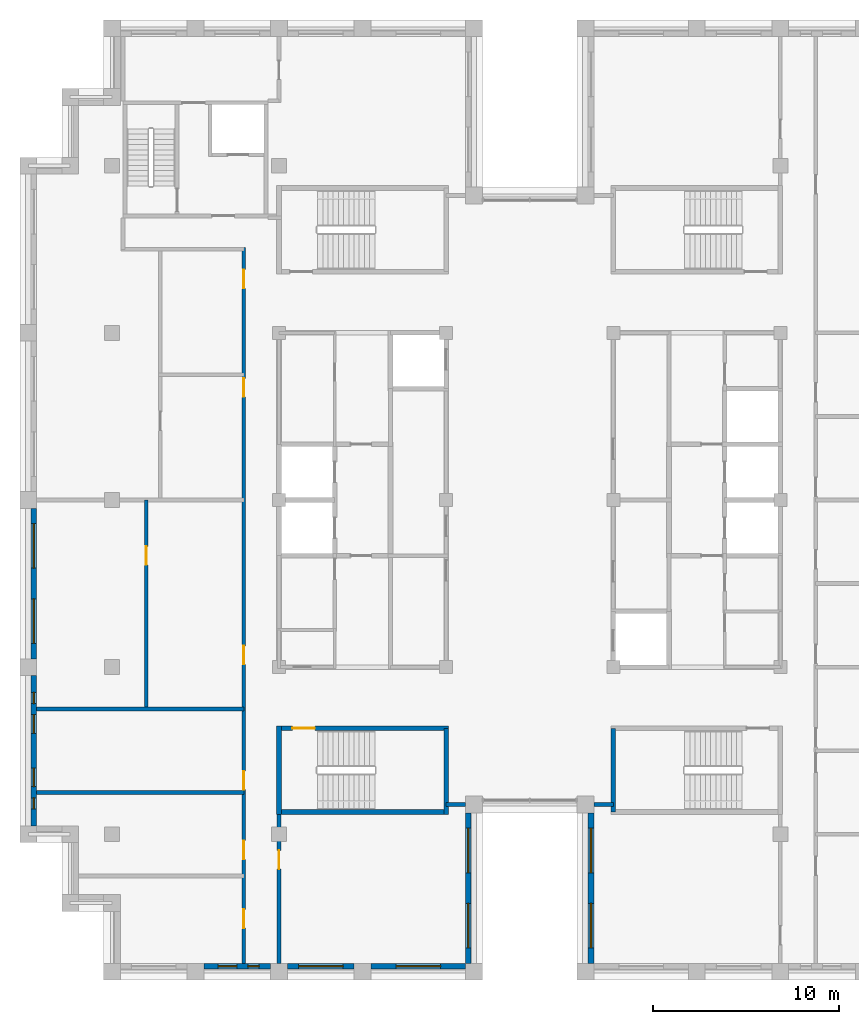
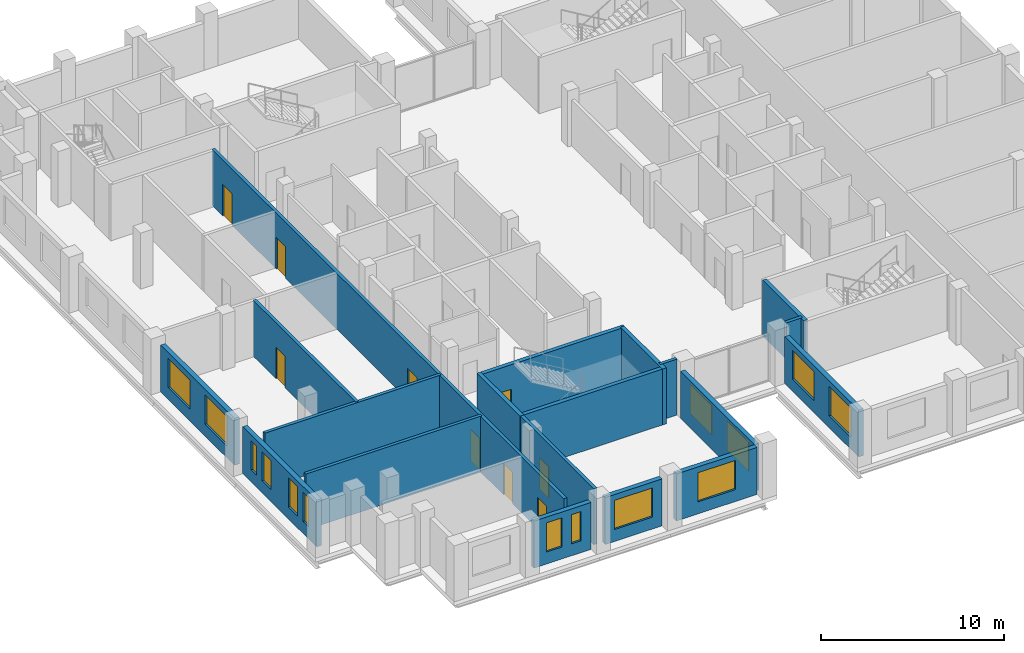
# One storey, part 6 of 13: 19 walls, 14 windows, 9 doors, 23 openings.
"""IFC4 building model written with IfcOpenShell, lengths in metres."""

from ifc_helpers import new_model, si_unit, direction, frame, frame_2d, origin, place, context, subcontext, project, spatial, rectangle, extrude, material, layer, layer_set, type_object, element, fill, save


model = new_model("IFC4")

# Units and contexts
model_context = context("Model", 3, precision=1e-05, world=origin(), true_north=direction((0.0, 1.0)))
body_context = subcontext(model_context, "Body", "Model", "MODEL_VIEW")
ifc_project = project(units=[si_unit("LENGTHUNIT", "METRE"), si_unit("AREAUNIT", "SQUARE_METRE"), si_unit("VOLUMEUNIT", "CUBIC_METRE"), si_unit("PLANEANGLEUNIT", "RADIAN"), si_unit("MASSUNIT", "GRAM", prefix="KILO")], contexts=[model_context])

# Site, building, storey
site_placement = place(None, origin())
site = spatial("IfcSite", under=ifc_project, at=site_placement, CompositionType="ELEMENT")
building_placement = place(site_placement, origin())
building = spatial("IfcBuilding", under=site, at=building_placement, Name="Corbelhall Arena Tower", CompositionType="ELEMENT")
storey_placement = place(building_placement, frame((0.0, 0.0, 338.0)))
storey = spatial("IfcBuildingStorey", under=building, at=storey_placement, Name="L74", CompositionType="ELEMENT", Elevation=338.0)

# Wall, openings, windows
ifc_material_1 = material(Name="Precast concrete C40/50 with granite facing", Category="masonry")
ifc_layer_1 = layer(ifc_material_1, 0.300048828125)
ifc_layer_set_1 = layer_set([ifc_layer_1], Name="EV-IW1 Infill panel 300")
wall_type_1 = type_object("IfcWallType", Name="EV-IW1 Infill panel 300", PredefinedType="SOLIDWALL", material=ifc_layer_set_1)
wall_1_placement = place(storey_placement, frame((-26.699951171875, -0.449951171875, 0.0), z_axis=(0.0, 0.0, 1.0), x_axis=(0.0, -1.0, 0.0)))
wall_1 = element("IfcWall", 1, at=wall_1_placement, inside=storey, type_object=wall_type_1, Name="Infill panel IW1", PredefinedType="SOLIDWALL", context=body_context, shape_type="SweptSolid", body=[
    extrude(rectangle(XDim=8.10009765625, YDim=0.300048828125, at=frame_2d((4.050048828125, 0.0))), origin(), (0.0, 0.0, 1.0), 3.139892578125),
])
opening_1_placement = place(wall_1_placement, frame((0.824951171875, 0.0, 0.800048828125)))
opening_1 = element("IfcOpeningElement", 2, at=opening_1_placement, cuts=wall_1, Name="Opening WN1", PredefinedType="OPENING", context=body_context, shape_type="SweptSolid", body=[
    extrude(rectangle(XDim=2.39990234375, YDim=1.949951171875, at=frame_2d((1.199951171875, 0.97509765625))), frame((0.0, 0.14990234375, 0.0), z_axis=(0.0, -1.0, 0.0), x_axis=(1.0, 0.0, 0.0)), (0.0, 0.0, 1.0), 0.300048828125),
])
opening_2_placement = place(wall_1_placement, frame((4.875, 0.0, 0.800048828125)))
opening_2 = element("IfcOpeningElement", 3, at=opening_2_placement, cuts=wall_1, Name="Opening WN1", PredefinedType="OPENING", context=body_context, shape_type="SweptSolid", body=[
    extrude(rectangle(XDim=2.39990234375, YDim=1.949951171875, at=frame_2d((1.199951171875, 0.97509765625))), frame((0.0, 0.14990234375, 0.0), z_axis=(0.0, -1.0, 0.0), x_axis=(1.0, 0.0, 0.0)), (0.0, 0.0, 1.0), 0.300048828125),
])
ifc_material_2 = material(Name="Aluminium black anodised", Category="aluminium")
window_type_1 = type_object("IfcWindowType", Name="EV-WN1 Office window", PartitioningType="SINGLE_PANEL", PredefinedType="WINDOW", material=ifc_material_2)
window_1_placement = place(opening_1_placement, origin())
window_1 = element("IfcWindow", 4, at=window_1_placement, inside=storey, type_object=window_type_1, Name="Window WN1", OverallHeight=1.949951171875, OverallWidth=2.39990234375, PartitioningType="SINGLE_PANEL", PredefinedType="WINDOW", context=body_context, shape_type="SweptSolid", body=[
    extrude(rectangle(XDim=2.39990234375, YDim=1.949951171875, at=frame_2d((1.199951171875, 0.97509765625))), frame((0.0, 0.030029296875, 0.0), z_axis=(0.0, -1.0, 0.0), x_axis=(1.0, 0.0, 0.0)), (0.0, 0.0, 1.0), 0.06005859375),
])
fill(opening_1, window_1)
window_2_placement = place(opening_2_placement, origin())
window_2 = element("IfcWindow", 5, at=window_2_placement, inside=storey, type_object=window_type_1, Name="Window WN1", OverallHeight=1.949951171875, OverallWidth=2.39990234375, PartitioningType="SINGLE_PANEL", PredefinedType="WINDOW", context=body_context, shape_type="SweptSolid", body=[
    extrude(rectangle(XDim=2.39990234375, YDim=1.949951171875, at=frame_2d((1.199951171875, 0.97509765625))), frame((0.0, 0.030029296875, 0.0), z_axis=(0.0, -1.0, 0.0), x_axis=(1.0, 0.0, 0.0)), (0.0, 0.0, 1.0), 0.06005859375),
])
fill(opening_2, window_2)

wall_2_placement = place(storey_placement, frame((-26.699951171875, -9.449951171875, 0.0), z_axis=(0.0, 0.0, 1.0), x_axis=(0.0, -1.0, 0.0)))
wall_2 = element("IfcWall", 6, at=wall_2_placement, inside=storey, type_object=wall_type_1, Name="Infill panel IW1", PredefinedType="SOLIDWALL", context=body_context, shape_type="SweptSolid", body=[
    extrude(rectangle(XDim=8.10009765625, YDim=0.300048828125, at=frame_2d((4.050048828125, 0.0))), origin(), (0.0, 0.0, 1.0), 3.139892578125),
])
opening_3_placement = place(wall_2_placement, frame((0.91259765625, 0.0, 0.800048828125)))
opening_3 = element("IfcOpeningElement", 7, at=opening_3_placement, cuts=wall_2, Name="Opening WN5", PredefinedType="OPENING", context=body_context, shape_type="SweptSolid", body=[
    extrude(rectangle(XDim=0.60009765625, YDim=1.949951171875, at=frame_2d((0.300048828125, 0.97509765625))), frame((0.0, 0.14990234375, 0.0), z_axis=(0.0, -1.0, 0.0), x_axis=(1.0, 0.0, 0.0)), (0.0, 0.0, 1.0), 0.300048828125),
])
opening_4_placement = place(wall_2_placement, frame((2.112548828125, 0.0, 0.800048828125)))
opening_4 = element("IfcOpeningElement", 8, at=opening_4_placement, cuts=wall_2, Name="Opening WN6", PredefinedType="OPENING", context=body_context, shape_type="SweptSolid", body=[
    extrude(rectangle(XDim=1.0, YDim=1.949951171875, at=frame_2d((0.5, 0.97509765625))), frame((0.0, 0.14990234375, 0.0), z_axis=(0.0, -1.0, 0.0), x_axis=(1.0, 0.0, 0.0)), (0.0, 0.0, 1.0), 0.300048828125),
])
opening_5_placement = place(wall_2_placement, frame((4.987548828125, 0.0, 0.800048828125)))
opening_5 = element("IfcOpeningElement", 9, at=opening_5_placement, cuts=wall_2, Name="Opening WN6", PredefinedType="OPENING", context=body_context, shape_type="SweptSolid", body=[
    extrude(rectangle(XDim=1.0, YDim=1.949951171875, at=frame_2d((0.5, 0.97509765625))), frame((0.0, 0.14990234375, 0.0), z_axis=(0.0, -1.0, 0.0), x_axis=(1.0, 0.0, 0.0)), (0.0, 0.0, 1.0), 0.300048828125),
])
opening_6_placement = place(wall_2_placement, frame((6.58740234375, 0.0, 0.800048828125)))
opening_6 = element("IfcOpeningElement", 10, at=opening_6_placement, cuts=wall_2, Name="Opening WN5", PredefinedType="OPENING", context=body_context, shape_type="SweptSolid", body=[
    extrude(rectangle(XDim=0.60009765625, YDim=1.949951171875, at=frame_2d((0.300048828125, 0.97509765625))), frame((0.0, 0.14990234375, 0.0), z_axis=(0.0, -1.0, 0.0), x_axis=(1.0, 0.0, 0.0)), (0.0, 0.0, 1.0), 0.300048828125),
])
window_type_2 = type_object("IfcWindowType", Name="EV-WN5 Office window 600", PartitioningType="SINGLE_PANEL", PredefinedType="WINDOW", material=ifc_material_2)
window_3_placement = place(opening_3_placement, origin())
window_3 = element("IfcWindow", 11, at=window_3_placement, inside=storey, type_object=window_type_2, Name="Window WN5", OverallHeight=1.949951171875, OverallWidth=0.60009765625, PartitioningType="SINGLE_PANEL", PredefinedType="WINDOW", context=body_context, shape_type="SweptSolid", body=[
    extrude(rectangle(XDim=0.60009765625, YDim=1.949951171875, at=frame_2d((0.300048828125, 0.97509765625))), frame((0.0, 0.030029296875, 0.0), z_axis=(0.0, -1.0, 0.0), x_axis=(1.0, 0.0, 0.0)), (0.0, 0.0, 1.0), 0.06005859375),
])
fill(opening_3, window_3)
window_4_placement = place(opening_6_placement, origin())
window_4 = element("IfcWindow", 12, at=window_4_placement, inside=storey, type_object=window_type_2, Name="Window WN5", OverallHeight=1.949951171875, OverallWidth=0.60009765625, PartitioningType="SINGLE_PANEL", PredefinedType="WINDOW", context=body_context, shape_type="SweptSolid", body=[
    extrude(rectangle(XDim=0.60009765625, YDim=1.949951171875, at=frame_2d((0.300048828125, 0.97509765625))), frame((0.0, 0.030029296875, 0.0), z_axis=(0.0, -1.0, 0.0), x_axis=(1.0, 0.0, 0.0)), (0.0, 0.0, 1.0), 0.06005859375),
])
fill(opening_6, window_4)
window_type_3 = type_object("IfcWindowType", Name="EV-WN6 Office window 1000", PartitioningType="SINGLE_PANEL", PredefinedType="WINDOW", material=ifc_material_2)
window_5_placement = place(opening_4_placement, origin())
window_5 = element("IfcWindow", 13, at=window_5_placement, inside=storey, type_object=window_type_3, Name="Window WN6", OverallHeight=1.949951171875, OverallWidth=1.0, PartitioningType="SINGLE_PANEL", PredefinedType="WINDOW", context=body_context, shape_type="SweptSolid", body=[
    extrude(rectangle(XDim=1.0, YDim=1.949951171875, at=frame_2d((0.5, 0.97509765625))), frame((0.0, 0.030029296875, 0.0), z_axis=(0.0, -1.0, 0.0), x_axis=(1.0, 0.0, 0.0)), (0.0, 0.0, 1.0), 0.06005859375),
])
fill(opening_4, window_5)
window_6_placement = place(opening_5_placement, origin())
window_6 = element("IfcWindow", 14, at=window_6_placement, inside=storey, type_object=window_type_3, Name="Window WN6", OverallHeight=1.949951171875, OverallWidth=1.0, PartitioningType="SINGLE_PANEL", PredefinedType="WINDOW", context=body_context, shape_type="SweptSolid", body=[
    extrude(rectangle(XDim=1.0, YDim=1.949951171875, at=frame_2d((0.5, 0.97509765625))), frame((0.0, 0.030029296875, 0.0), z_axis=(0.0, -1.0, 0.0), x_axis=(1.0, 0.0, 0.0)), (0.0, 0.0, 1.0), 0.06005859375),
])
fill(opening_5, window_6)

wall_3_placement = place(storey_placement, frame((-17.550048828125, -25.10009765625, 0.0), z_axis=(0.0, 0.0, 1.0), x_axis=(1.0, 0.0, 0.0)))
wall_3 = element("IfcWall", 15, at=wall_3_placement, inside=storey, type_object=wall_type_1, Name="Infill panel IW1", PredefinedType="SOLIDWALL", context=body_context, shape_type="SweptSolid", body=[
    extrude(rectangle(XDim=3.60009765625, YDim=0.300048828125, at=frame_2d((1.800048828125, 0.0))), origin(), (0.0, 0.0, 1.0), 3.139892578125),
])
opening_7_placement = place(wall_3_placement, frame((0.77490234375, 0.0, 0.800048828125)))
opening_7 = element("IfcOpeningElement", 16, at=opening_7_placement, cuts=wall_3, Name="Opening WN6", PredefinedType="OPENING", context=body_context, shape_type="SweptSolid", body=[
    extrude(rectangle(XDim=1.0, YDim=1.949951171875, at=frame_2d((0.5, 0.97509765625))), frame((0.0, 0.14990234375, 0.0), z_axis=(0.0, -1.0, 0.0), x_axis=(1.0, 0.0, 0.0)), (0.0, 0.0, 1.0), 0.300048828125),
])
opening_8_placement = place(wall_3_placement, frame((2.375, 0.0, 0.800048828125)))
opening_8 = element("IfcOpeningElement", 17, at=opening_8_placement, cuts=wall_3, Name="Opening WN5", PredefinedType="OPENING", context=body_context, shape_type="SweptSolid", body=[
    extrude(rectangle(XDim=0.60009765625, YDim=1.949951171875, at=frame_2d((0.300048828125, 0.97509765625))), frame((0.0, 0.14990234375, 0.0), z_axis=(0.0, -1.0, 0.0), x_axis=(1.0, 0.0, 0.0)), (0.0, 0.0, 1.0), 0.300048828125),
])
window_7_placement = place(opening_8_placement, origin())
window_7 = element("IfcWindow", 18, at=window_7_placement, inside=storey, type_object=window_type_2, Name="Window WN5", OverallHeight=1.949951171875, OverallWidth=0.60009765625, PartitioningType="SINGLE_PANEL", PredefinedType="WINDOW", context=body_context, shape_type="SweptSolid", body=[
    extrude(rectangle(XDim=0.60009765625, YDim=1.949951171875, at=frame_2d((0.300048828125, 0.97509765625))), frame((0.0, 0.030029296875, 0.0), z_axis=(0.0, -1.0, 0.0), x_axis=(1.0, 0.0, 0.0)), (0.0, 0.0, 1.0), 0.06005859375),
])
fill(opening_8, window_7)
window_8_placement = place(opening_7_placement, origin())
window_8 = element("IfcWindow", 19, at=window_8_placement, inside=storey, type_object=window_type_3, Name="Window WN6", OverallHeight=1.949951171875, OverallWidth=1.0, PartitioningType="SINGLE_PANEL", PredefinedType="WINDOW", context=body_context, shape_type="SweptSolid", body=[
    extrude(rectangle(XDim=1.0, YDim=1.949951171875, at=frame_2d((0.5, 0.97509765625))), frame((0.0, 0.030029296875, 0.0), z_axis=(0.0, -1.0, 0.0), x_axis=(1.0, 0.0, 0.0)), (0.0, 0.0, 1.0), 0.06005859375),
])
fill(opening_7, window_8)

# Wall, opening, window
wall_4_placement = place(storey_placement, frame((-13.050048828125, -25.10009765625, 0.0), z_axis=(0.0, 0.0, 1.0), x_axis=(1.0, 0.0, 0.0)))
wall_4 = element("IfcWall", 20, at=wall_4_placement, inside=storey, type_object=wall_type_1, Name="Infill panel IW1", PredefinedType="SOLIDWALL", context=body_context, shape_type="SweptSolid", body=[
    extrude(rectangle(XDim=3.60009765625, YDim=0.300048828125, at=frame_2d((1.800048828125, 0.0))), origin(), (0.0, 0.0, 1.0), 3.139892578125),
])
opening_9_placement = place(wall_4_placement, frame((0.60009765625, 0.0, 0.800048828125)))
opening_9 = element("IfcOpeningElement", 21, at=opening_9_placement, cuts=wall_4, Name="Opening WN1", PredefinedType="OPENING", context=body_context, shape_type="SweptSolid", body=[
    extrude(rectangle(XDim=2.39990234375, YDim=1.949951171875, at=frame_2d((1.199951171875, 0.97509765625))), frame((0.0, 0.14990234375, 0.0), z_axis=(0.0, -1.0, 0.0), x_axis=(1.0, 0.0, 0.0)), (0.0, 0.0, 1.0), 0.300048828125),
])
window_9_placement = place(opening_9_placement, origin())
window_9 = element("IfcWindow", 22, at=window_9_placement, inside=storey, type_object=window_type_1, Name="Window WN1", OverallHeight=1.949951171875, OverallWidth=2.39990234375, PartitioningType="SINGLE_PANEL", PredefinedType="WINDOW", context=body_context, shape_type="SweptSolid", body=[
    extrude(rectangle(XDim=2.39990234375, YDim=1.949951171875, at=frame_2d((1.199951171875, 0.97509765625))), frame((0.0, 0.030029296875, 0.0), z_axis=(0.0, -1.0, 0.0), x_axis=(1.0, 0.0, 0.0)), (0.0, 0.0, 1.0), 0.06005859375),
])
fill(opening_9, window_9)

wall_5_placement = place(storey_placement, frame((-8.550048828125, -25.10009765625, 0.0), z_axis=(0.0, 0.0, 1.0), x_axis=(1.0, 0.0, 0.0)))
wall_5 = element("IfcWall", 23, at=wall_5_placement, inside=storey, type_object=wall_type_1, Name="Infill panel IW1", PredefinedType="SOLIDWALL", context=body_context, shape_type="SweptSolid", body=[
    extrude(rectangle(XDim=5.10009765625, YDim=0.300048828125, at=frame_2d((2.550048828125, 0.0))), origin(), (0.0, 0.0, 1.0), 3.139892578125),
])
opening_10_placement = place(wall_5_placement, frame((1.35009765625, 0.0, 0.800048828125)))
opening_10 = element("IfcOpeningElement", 24, at=opening_10_placement, cuts=wall_5, Name="Opening WN1", PredefinedType="OPENING", context=body_context, shape_type="SweptSolid", body=[
    extrude(rectangle(XDim=2.39990234375, YDim=1.949951171875, at=frame_2d((1.199951171875, 0.97509765625))), frame((0.0, 0.14990234375, 0.0), z_axis=(0.0, -1.0, 0.0), x_axis=(1.0, 0.0, 0.0)), (0.0, 0.0, 1.0), 0.300048828125),
])
window_10_placement = place(opening_10_placement, origin())
window_10 = element("IfcWindow", 25, at=window_10_placement, inside=storey, type_object=window_type_1, Name="Window WN1", OverallHeight=1.949951171875, OverallWidth=2.39990234375, PartitioningType="SINGLE_PANEL", PredefinedType="WINDOW", context=body_context, shape_type="SweptSolid", body=[
    extrude(rectangle(XDim=2.39990234375, YDim=1.949951171875, at=frame_2d((1.199951171875, 0.97509765625))), frame((0.0, 0.030029296875, 0.0), z_axis=(0.0, -1.0, 0.0), x_axis=(1.0, 0.0, 0.0)), (0.0, 0.0, 1.0), 0.06005859375),
])
fill(opening_10, window_10)

# Wall, openings, windows
wall_6_placement = place(storey_placement, frame((-3.300048828125, -24.949951171875, 0.0), z_axis=(0.0, 0.0, 1.0), x_axis=(0.0, 1.0, 0.0)))
wall_6 = element("IfcWall", 26, at=wall_6_placement, inside=storey, type_object=wall_type_1, Name="Infill panel IW1", PredefinedType="SOLIDWALL", context=body_context, shape_type="SweptSolid", body=[
    extrude(rectangle(XDim=8.099853515625, YDim=0.300048828125, at=frame_2d((4.0498046875, 0.0))), origin(), (0.0, 0.0, 1.0), 3.139892578125),
])
opening_11_placement = place(wall_6_placement, frame((0.824951171875, 0.0, 0.800048828125)))
opening_11 = element("IfcOpeningElement", 27, at=opening_11_placement, cuts=wall_6, Name="Opening WN1", PredefinedType="OPENING", context=body_context, shape_type="SweptSolid", body=[
    extrude(rectangle(XDim=2.39990234375, YDim=1.949951171875, at=frame_2d((1.199951171875, 0.97509765625))), frame((0.0, 0.14990234375, 0.0), z_axis=(0.0, -1.0, 0.0), x_axis=(1.0, 0.0, 0.0)), (0.0, 0.0, 1.0), 0.300048828125),
])
opening_12_placement = place(wall_6_placement, frame((4.875, 0.0, 0.800048828125)))
opening_12 = element("IfcOpeningElement", 28, at=opening_12_placement, cuts=wall_6, Name="Opening WN1", PredefinedType="OPENING", context=body_context, shape_type="SweptSolid", body=[
    extrude(rectangle(XDim=2.39990234375, YDim=1.949951171875, at=frame_2d((1.199951171875, 0.97509765625))), frame((0.0, 0.14990234375, 0.0), z_axis=(0.0, -1.0, 0.0), x_axis=(1.0, 0.0, 0.0)), (0.0, 0.0, 1.0), 0.300048828125),
])
window_11_placement = place(opening_11_placement, origin())
window_11 = element("IfcWindow", 29, at=window_11_placement, inside=storey, type_object=window_type_1, Name="Window WN1", OverallHeight=1.949951171875, OverallWidth=2.39990234375, PartitioningType="SINGLE_PANEL", PredefinedType="WINDOW", context=body_context, shape_type="SweptSolid", body=[
    extrude(rectangle(XDim=2.39990234375, YDim=1.949951171875, at=frame_2d((1.199951171875, 0.97509765625))), frame((0.0, 0.030029296875, 0.0), z_axis=(0.0, -1.0, 0.0), x_axis=(1.0, 0.0, 0.0)), (0.0, 0.0, 1.0), 0.06005859375),
])
fill(opening_11, window_11)
window_12_placement = place(opening_12_placement, origin())
window_12 = element("IfcWindow", 30, at=window_12_placement, inside=storey, type_object=window_type_1, Name="Window WN1", OverallHeight=1.949951171875, OverallWidth=2.39990234375, PartitioningType="SINGLE_PANEL", PredefinedType="WINDOW", context=body_context, shape_type="SweptSolid", body=[
    extrude(rectangle(XDim=2.39990234375, YDim=1.949951171875, at=frame_2d((1.199951171875, 0.97509765625))), frame((0.0, 0.030029296875, 0.0), z_axis=(0.0, -1.0, 0.0), x_axis=(1.0, 0.0, 0.0)), (0.0, 0.0, 1.0), 0.06005859375),
])
fill(opening_12, window_12)

wall_7_placement = place(storey_placement, frame((3.300048828125, -16.85009765625, 0.0), z_axis=(0.0, 0.0, 1.0), x_axis=(0.0, -1.0, 0.0)))
wall_7 = element("IfcWall", 31, at=wall_7_placement, inside=storey, type_object=wall_type_1, Name="Infill panel IW1", PredefinedType="SOLIDWALL", context=body_context, shape_type="SweptSolid", body=[
    extrude(rectangle(XDim=8.099853515625, YDim=0.300048828125, at=frame_2d((4.0498046875, 0.0))), origin(), (0.0, 0.0, 1.0), 3.139892578125),
])
opening_13_placement = place(wall_7_placement, frame((0.824951171875, 0.0, 0.800048828125)))
opening_13 = element("IfcOpeningElement", 32, at=opening_13_placement, cuts=wall_7, Name="Opening WN1", PredefinedType="OPENING", context=body_context, shape_type="SweptSolid", body=[
    extrude(rectangle(XDim=2.39990234375, YDim=1.949951171875, at=frame_2d((1.199951171875, 0.97509765625))), frame((0.0, 0.14990234375, 0.0), z_axis=(0.0, -1.0, 0.0), x_axis=(1.0, 0.0, 0.0)), (0.0, 0.0, 1.0), 0.300048828125),
])
opening_14_placement = place(wall_7_placement, frame((4.875, 0.0, 0.800048828125)))
opening_14 = element("IfcOpeningElement", 33, at=opening_14_placement, cuts=wall_7, Name="Opening WN1", PredefinedType="OPENING", context=body_context, shape_type="SweptSolid", body=[
    extrude(rectangle(XDim=2.39990234375, YDim=1.949951171875, at=frame_2d((1.199951171875, 0.97509765625))), frame((0.0, 0.14990234375, 0.0), z_axis=(0.0, -1.0, 0.0), x_axis=(1.0, 0.0, 0.0)), (0.0, 0.0, 1.0), 0.300048828125),
])
window_13_placement = place(opening_13_placement, origin())
window_13 = element("IfcWindow", 34, at=window_13_placement, inside=storey, type_object=window_type_1, Name="Window WN1", OverallHeight=1.949951171875, OverallWidth=2.39990234375, PartitioningType="SINGLE_PANEL", PredefinedType="WINDOW", context=body_context, shape_type="SweptSolid", body=[
    extrude(rectangle(XDim=2.39990234375, YDim=1.949951171875, at=frame_2d((1.199951171875, 0.97509765625))), frame((0.0, 0.030029296875, 0.0), z_axis=(0.0, -1.0, 0.0), x_axis=(1.0, 0.0, 0.0)), (0.0, 0.0, 1.0), 0.06005859375),
])
fill(opening_13, window_13)
window_14_placement = place(opening_14_placement, origin())
window_14 = element("IfcWindow", 35, at=window_14_placement, inside=storey, type_object=window_type_1, Name="Window WN1", OverallHeight=1.949951171875, OverallWidth=2.39990234375, PartitioningType="SINGLE_PANEL", PredefinedType="WINDOW", context=body_context, shape_type="SweptSolid", body=[
    extrude(rectangle(XDim=2.39990234375, YDim=1.949951171875, at=frame_2d((1.199951171875, 0.97509765625))), frame((0.0, 0.030029296875, 0.0), z_axis=(0.0, -1.0, 0.0), x_axis=(1.0, 0.0, 0.0)), (0.0, 0.0, 1.0), 0.06005859375),
])
fill(opening_14, window_14)

# Walls
ifc_material_3 = material(Name="Gypsum board on steel stud, acoustic", Category="steel")
ifc_layer_2 = layer(ifc_material_3, 0.199951171875)
ifc_layer_set_2 = layer_set([ifc_layer_2], Name="IN-W-DM200")
wall_type_2 = type_object("IfcWallType", Name="IN-W-DM200", PredefinedType="PARTITIONING", material=ifc_layer_set_2)
for number, where, z_axis, x_axis, name in (
    (36, (-26.550048828125, -15.75, 0.0), (0.0, 0.0, 1.0), (1.0, 0.0, 0.0), "Partition 001"),
    (37, (-26.550048828125, -11.25, 0.0), (0.0, 0.0, 1.0), (1.0, 0.0, 0.0), "Partition 002"),
):
    element("IfcWall", number, at=place(storey_placement, frame(where, z_axis=z_axis, x_axis=x_axis)), inside=storey, type_object=wall_type_2, Name=name, PredefinedType="PARTITIONING", context=body_context, shape_type="SweptSolid", body=[
        extrude(rectangle(XDim=11.150146484375, YDim=0.199951171875, at=frame_2d((5.5751953125, 0.0))), origin(), (0.0, 0.0, 1.0), 3.739990234375),
    ])

# Wall, opening, door
wall_8_placement = place(storey_placement, frame((-20.64990234375, -11.25, 0.0), z_axis=(0.0, 0.0, 1.0), x_axis=(0.0, 1.0, 0.0)))
wall_8 = element("IfcWall", 38, at=wall_8_placement, inside=storey, type_object=wall_type_2, Name="Partition 006", PredefinedType="PARTITIONING", context=body_context, shape_type="SweptSolid", body=[
    extrude(rectangle(XDim=11.25, YDim=0.199951171875, at=frame_2d((5.625, 0.0))), origin(), (0.0, 0.0, 1.0), 3.739990234375),
])
opening_15_placement = place(wall_8_placement, frame((7.75, 0.0, 0.0)))
opening_15 = element("IfcOpeningElement", 39, at=opening_15_placement, cuts=wall_8, Name="Opening 24029", PredefinedType="OPENING", context=body_context, shape_type="SweptSolid", body=[
    extrude(rectangle(XDim=1.0, YDim=2.10009765625, at=frame_2d((0.5, 1.050048828125))), frame((0.0, 0.10009765625, 0.0), z_axis=(0.0, -1.0, 0.0), x_axis=(1.0, 0.0, 0.0)), (0.0, 0.0, 1.0), 0.199951171875),
])
ifc_material_4 = material(Name="Steel door set", Category="steel")
door_type_1 = type_object("IfcDoorType", Name="IN-D-SW100", OperationType="NOTDEFINED", PredefinedType="DOOR", material=ifc_material_4)
door_1_placement = place(opening_15_placement, origin())
door_1 = element("IfcDoor", 40, at=door_1_placement, inside=storey, type_object=door_type_1, Name="Door 029", OperationType="SINGLE_SWING_RIGHT", OverallHeight=2.10009765625, OverallWidth=1.0, PredefinedType="DOOR", context=body_context, shape_type="SweptSolid", body=[
    extrude(rectangle(XDim=1.0, YDim=2.10009765625, at=frame_2d((0.5, 1.050048828125))), frame((0.0, 0.02490234375, 0.0), z_axis=(0.0, -1.0, 0.0), x_axis=(1.0, 0.0, 0.0)), (0.0, 0.0, 1.0), 0.050048828125),
])
fill(opening_15, door_1)

# Wall, openings, doors
wall_9_placement = place(storey_placement, frame((-15.39990234375, -24.949951171875, 0.0), z_axis=(0.0, 0.0, 1.0), x_axis=(0.0, 1.0, 0.0)))
wall_9 = element("IfcWall", 41, at=wall_9_placement, inside=storey, type_object=wall_type_2, Name="Partition 011", PredefinedType="PARTITIONING", context=body_context, shape_type="SweptSolid", body=[
    extrude(rectangle(XDim=38.550048828125, YDim=0.199951171875, at=frame_2d((19.27490234375, 0.0))), origin(), (0.0, 0.0, 1.0), 3.739990234375),
])
opening_16_placement = place(wall_9_placement, frame((30.5, 0.0, 0.0)))
opening_16 = element("IfcOpeningElement", 42, at=opening_16_placement, cuts=wall_9, Name="Opening 24022", PredefinedType="OPENING", context=body_context, shape_type="SweptSolid", body=[
    extrude(rectangle(XDim=1.0, YDim=2.10009765625, at=frame_2d((0.5, 1.050048828125))), frame((0.0, 0.10009765625, 0.0), z_axis=(0.0, -1.0, 0.0), x_axis=(1.0, 0.0, 0.0)), (0.0, 0.0, 1.0), 0.199951171875),
])
opening_17_placement = place(wall_9_placement, frame((36.35009765625, 0.0, 0.0)))
opening_17 = element("IfcOpeningElement", 43, at=opening_17_placement, cuts=wall_9, Name="Opening 24023", PredefinedType="OPENING", context=body_context, shape_type="SweptSolid", body=[
    extrude(rectangle(XDim=1.0, YDim=2.10009765625, at=frame_2d((0.5, 1.050048828125))), frame((0.0, 0.10009765625, 0.0), z_axis=(0.0, -1.0, 0.0), x_axis=(1.0, 0.0, 0.0)), (0.0, 0.0, 1.0), 0.199951171875),
])
opening_18_placement = place(wall_9_placement, frame((1.89990234375, 0.0, 0.0)))
opening_18 = element("IfcOpeningElement", 44, at=opening_18_placement, cuts=wall_9, Name="Opening 24025", PredefinedType="OPENING", context=body_context, shape_type="SweptSolid", body=[
    extrude(rectangle(XDim=1.0, YDim=2.10009765625, at=frame_2d((0.5, 1.050048828125))), frame((0.0, 0.10009765625, 0.0), z_axis=(0.0, -1.0, 0.0), x_axis=(1.0, 0.0, 0.0)), (0.0, 0.0, 1.0), 0.199951171875),
])
opening_19_placement = place(wall_9_placement, frame((5.60009765625, 0.0, 0.0)))
opening_19 = element("IfcOpeningElement", 45, at=opening_19_placement, cuts=wall_9, Name="Opening 24026", PredefinedType="OPENING", context=body_context, shape_type="SweptSolid", body=[
    extrude(rectangle(XDim=1.0, YDim=2.10009765625, at=frame_2d((0.5, 1.050048828125))), frame((0.0, 0.10009765625, 0.0), z_axis=(0.0, -1.0, 0.0), x_axis=(1.0, 0.0, 0.0)), (0.0, 0.0, 1.0), 0.199951171875),
])
opening_20_placement = place(wall_9_placement, frame((9.35009765625, 0.0, 0.0)))
opening_20 = element("IfcOpeningElement", 46, at=opening_20_placement, cuts=wall_9, Name="Opening 24027", PredefinedType="OPENING", context=body_context, shape_type="SweptSolid", body=[
    extrude(rectangle(XDim=1.0, YDim=2.10009765625, at=frame_2d((0.5, 1.050048828125))), frame((0.0, 0.10009765625, 0.0), z_axis=(0.0, -1.0, 0.0), x_axis=(1.0, 0.0, 0.0)), (0.0, 0.0, 1.0), 0.199951171875),
])
opening_21_placement = place(wall_9_placement, frame((16.10009765625, 0.0, 0.0)))
opening_21 = element("IfcOpeningElement", 47, at=opening_21_placement, cuts=wall_9, Name="Opening 24028", PredefinedType="OPENING", context=body_context, shape_type="SweptSolid", body=[
    extrude(rectangle(XDim=1.0, YDim=2.10009765625, at=frame_2d((0.5, 1.050048828125))), frame((0.0, 0.10009765625, 0.0), z_axis=(0.0, -1.0, 0.0), x_axis=(1.0, 0.0, 0.0)), (0.0, 0.0, 1.0), 0.199951171875),
])
door_2_placement = place(opening_16_placement, origin())
door_2 = element("IfcDoor", 48, at=door_2_placement, inside=storey, type_object=door_type_1, Name="Door 022", OperationType="SINGLE_SWING_LEFT", OverallHeight=2.10009765625, OverallWidth=1.0, PredefinedType="DOOR", context=body_context, shape_type="SweptSolid", body=[
    extrude(rectangle(XDim=1.0, YDim=2.10009765625, at=frame_2d((0.5, 1.050048828125))), frame((0.0, 0.02490234375, 0.0), z_axis=(0.0, -1.0, 0.0), x_axis=(1.0, 0.0, 0.0)), (0.0, 0.0, 1.0), 0.050048828125),
])
fill(opening_16, door_2)
door_3_placement = place(opening_17_placement, origin())
door_3 = element("IfcDoor", 49, at=door_3_placement, inside=storey, type_object=door_type_1, Name="Door 023", OperationType="SINGLE_SWING_RIGHT", OverallHeight=2.10009765625, OverallWidth=1.0, PredefinedType="DOOR", context=body_context, shape_type="SweptSolid", body=[
    extrude(rectangle(XDim=1.0, YDim=2.10009765625, at=frame_2d((0.5, 1.050048828125))), frame((0.0, 0.02490234375, 0.0), z_axis=(0.0, -1.0, 0.0), x_axis=(1.0, 0.0, 0.0)), (0.0, 0.0, 1.0), 0.050048828125),
])
fill(opening_17, door_3)
door_4_placement = place(opening_18_placement, origin())
door_4 = element("IfcDoor", 50, at=door_4_placement, inside=storey, type_object=door_type_1, Name="Door 025", OperationType="SINGLE_SWING_RIGHT", OverallHeight=2.10009765625, OverallWidth=1.0, PredefinedType="DOOR", context=body_context, shape_type="SweptSolid", body=[
    extrude(rectangle(XDim=1.0, YDim=2.10009765625, at=frame_2d((0.5, 1.050048828125))), frame((0.0, 0.02490234375, 0.0), z_axis=(0.0, -1.0, 0.0), x_axis=(1.0, 0.0, 0.0)), (0.0, 0.0, 1.0), 0.050048828125),
])
fill(opening_18, door_4)
door_5_placement = place(opening_19_placement, origin())
door_5 = element("IfcDoor", 51, at=door_5_placement, inside=storey, type_object=door_type_1, Name="Door 026", OperationType="SINGLE_SWING_LEFT", OverallHeight=2.10009765625, OverallWidth=1.0, PredefinedType="DOOR", context=body_context, shape_type="SweptSolid", body=[
    extrude(rectangle(XDim=1.0, YDim=2.10009765625, at=frame_2d((0.5, 1.050048828125))), frame((0.0, 0.02490234375, 0.0), z_axis=(0.0, -1.0, 0.0), x_axis=(1.0, 0.0, 0.0)), (0.0, 0.0, 1.0), 0.050048828125),
])
fill(opening_19, door_5)
door_6_placement = place(opening_20_placement, origin())
door_6 = element("IfcDoor", 52, at=door_6_placement, inside=storey, type_object=door_type_1, Name="Door 027", OperationType="SINGLE_SWING_RIGHT", OverallHeight=2.10009765625, OverallWidth=1.0, PredefinedType="DOOR", context=body_context, shape_type="SweptSolid", body=[
    extrude(rectangle(XDim=1.0, YDim=2.10009765625, at=frame_2d((0.5, 1.050048828125))), frame((0.0, 0.02490234375, 0.0), z_axis=(0.0, -1.0, 0.0), x_axis=(1.0, 0.0, 0.0)), (0.0, 0.0, 1.0), 0.050048828125),
])
fill(opening_20, door_6)
door_7_placement = place(opening_21_placement, origin())
door_7 = element("IfcDoor", 53, at=door_7_placement, inside=storey, type_object=door_type_1, Name="Door 028", OperationType="SINGLE_SWING_LEFT", OverallHeight=2.10009765625, OverallWidth=1.0, PredefinedType="DOOR", context=body_context, shape_type="SweptSolid", body=[
    extrude(rectangle(XDim=1.0, YDim=2.10009765625, at=frame_2d((0.5, 1.050048828125))), frame((0.0, 0.02490234375, 0.0), z_axis=(0.0, -1.0, 0.0), x_axis=(1.0, 0.0, 0.0)), (0.0, 0.0, 1.0), 0.050048828125),
])
fill(opening_21, door_7)

# Wall, opening, door
wall_10_placement = place(storey_placement, frame((-13.5, -16.675048828125, 0.0), z_axis=(0.0, 0.0, 1.0), x_axis=(0.0, -1.0, 0.0)))
wall_10 = element("IfcWall", 54, at=wall_10_placement, inside=storey, type_object=wall_type_2, Name="Partition 013", PredefinedType="PARTITIONING", context=body_context, shape_type="SweptSolid", body=[
    extrude(rectangle(XDim=8.27490234375, YDim=0.199951171875, at=frame_2d((4.137451171875, 0.0))), origin(), (0.0, 0.0, 1.0), 3.739990234375),
])
opening_22_placement = place(wall_10_placement, frame((2.199951171875, 0.0, 0.0)))
opening_22 = element("IfcOpeningElement", 55, at=opening_22_placement, cuts=wall_10, Name="Opening 24020", PredefinedType="OPENING", context=body_context, shape_type="SweptSolid", body=[
    extrude(rectangle(XDim=1.0, YDim=2.10009765625, at=frame_2d((0.5, 1.050048828125))), frame((0.0, 0.10009765625, 0.0), z_axis=(0.0, -1.0, 0.0), x_axis=(1.0, 0.0, 0.0)), (0.0, 0.0, 1.0), 0.199951171875),
])
door_8_placement = place(opening_22_placement, origin())
door_8 = element("IfcDoor", 56, at=door_8_placement, inside=storey, type_object=door_type_1, Name="Door 020", OperationType="SINGLE_SWING_LEFT", OverallHeight=2.10009765625, OverallWidth=1.0, PredefinedType="DOOR", context=body_context, shape_type="SweptSolid", body=[
    extrude(rectangle(XDim=1.0, YDim=2.10009765625, at=frame_2d((0.5, 1.050048828125))), frame((0.0, 0.02490234375, 0.0), z_axis=(0.0, -1.0, 0.0), x_axis=(1.0, 0.0, 0.0)), (0.0, 0.0, 1.0), 0.050048828125),
])
fill(opening_22, door_8)

# Walls
for number, where, z_axis, x_axis, name in (
    (57, (-3.449951171875, -16.39990234375, 0.0), (0.0, 0.0, 1.0), (-1.0, 0.0, 0.0), "Partition 017"),
    (58, (4.5, -16.39990234375, 0.0), (0.0, 0.0, 1.0), (-1.0, 0.0, 0.0), "Partition 019"),
):
    element("IfcWall", number, at=place(storey_placement, frame(where, z_axis=z_axis, x_axis=x_axis)), inside=storey, type_object=wall_type_2, Name=name, PredefinedType="PARTITIONING", context=body_context, shape_type="SweptSolid", body=[
        extrude(rectangle(XDim=1.050048828125, YDim=0.199951171875, at=frame_2d((0.52490234375, 0.0))), origin(), (0.0, 0.0, 1.0), 3.739990234375),
    ])
ifc_material_5 = material(Name="Concrete C40/50", Category="concrete")
ifc_layer_3 = layer(ifc_material_5, 0.25)
ifc_layer_set_3 = layer_set([ifc_layer_3], Name="IN-W-ST250")
wall_type_3 = type_object("IfcWallType", Name="IN-W-ST250", PredefinedType="SOLIDWALL", material=ifc_layer_set_3)
wall_11_placement = place(storey_placement, frame((-13.5, -12.175048828125, 0.0), z_axis=(0.0, 0.0, 1.0), x_axis=(0.0, -1.0, 0.0)))
element("IfcWall", 59, at=wall_11_placement, inside=storey, type_object=wall_type_3, Name="Shaft wall 069", PredefinedType="SOLIDWALL", context=body_context, shape_type="SweptSolid", body=[
    extrude(rectangle(XDim=4.75, YDim=0.25, at=frame_2d((2.375, 0.0))), origin(), (0.0, 0.0, 1.0), 3.739990234375),
])
wall_12_placement = place(storey_placement, frame((-4.5, -16.800048828125, 0.0), z_axis=(0.0, 0.0, 1.0), x_axis=(-1.0, 0.0, 0.0)))
element("IfcWall", 60, at=wall_12_placement, inside=storey, type_object=wall_type_3, Name="Shaft wall 073", PredefinedType="SOLIDWALL", context=body_context, shape_type="SweptSolid", body=[
    extrude(rectangle(XDim=9.0, YDim=0.25, at=frame_2d((4.5, 0.0))), origin(), (0.0, 0.0, 1.0), 3.739990234375),
])
wall_13_placement = place(storey_placement, frame((-4.5, -12.300048828125, 0.0), z_axis=(0.0, 0.0, 1.0), x_axis=(0.0, -1.0, 0.0)))
element("IfcWall", 61, at=wall_13_placement, inside=storey, type_object=wall_type_3, Name="Shaft wall 074", PredefinedType="SOLIDWALL", context=body_context, shape_type="SweptSolid", body=[
    extrude(rectangle(XDim=4.625, YDim=0.25, at=frame_2d((2.3125, 0.0))), origin(), (0.0, 0.0, 1.0), 3.739990234375),
])

# Wall, opening, door
wall_14_placement = place(storey_placement, frame((-4.375, -12.300048828125, 0.0), z_axis=(0.0, 0.0, 1.0), x_axis=(-1.0, 0.0, 0.0)))
wall_14 = element("IfcWall", 62, at=wall_14_placement, inside=storey, type_object=wall_type_3, Name="Shaft wall 076", PredefinedType="SOLIDWALL", context=body_context, shape_type="SweptSolid", body=[
    extrude(rectangle(XDim=9.125, YDim=0.25, at=frame_2d((4.5625, 0.0))), origin(), (0.0, 0.0, 1.0), 3.739990234375),
])
opening_23_placement = place(wall_14_placement, frame((7.199951171875, 0.0, 0.0)))
opening_23 = element("IfcOpeningElement", 63, at=opening_23_placement, cuts=wall_14, Name="Opening 24015", PredefinedType="OPENING", context=body_context, shape_type="SweptSolid", body=[
    extrude(rectangle(XDim=1.199951171875, YDim=2.10009765625, at=frame_2d((0.60009765625, 1.050048828125))), frame((0.0, 0.125, 0.0), z_axis=(0.0, -1.0, 0.0), x_axis=(1.0, 0.0, 0.0)), (0.0, 0.0, 1.0), 0.25),
])
door_type_2 = type_object("IfcDoorType", Name="IN-D-ST120", OperationType="NOTDEFINED", PredefinedType="DOOR", material=ifc_material_4)
door_9_placement = place(opening_23_placement, origin())
door_9 = element("IfcDoor", 64, at=door_9_placement, inside=storey, type_object=door_type_2, Name="Door 015", OperationType="SINGLE_SWING_RIGHT", OverallHeight=2.10009765625, OverallWidth=1.199951171875, PredefinedType="DOOR", context=body_context, shape_type="SweptSolid", body=[
    extrude(rectangle(XDim=1.199951171875, YDim=2.10009765625, at=frame_2d((0.60009765625, 1.050048828125))), frame((0.0, 0.02490234375, 0.0), z_axis=(0.0, -1.0, 0.0), x_axis=(1.0, 0.0, 0.0)), (0.0, 0.0, 1.0), 0.050048828125),
])
fill(opening_23, door_9)

# Wall
wall_15_placement = place(storey_placement, frame((4.5, -16.800048828125, 0.0), z_axis=(0.0, 0.0, 1.0), x_axis=(0.0, 1.0, 0.0)))
element("IfcWall", 65, at=wall_15_placement, inside=storey, type_object=wall_type_3, Name="Shaft wall 079", PredefinedType="SOLIDWALL", context=body_context, shape_type="SweptSolid", body=[
    extrude(rectangle(XDim=4.5, YDim=0.25, at=frame_2d((2.25, 0.0))), origin(), (0.0, 0.0, 1.0), 3.739990234375),
])

save(model, "model.ifc")
